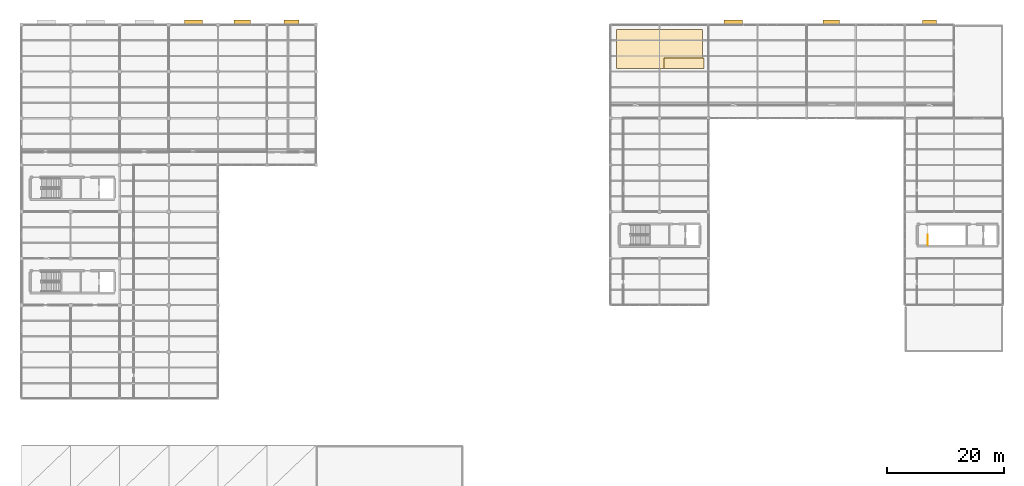
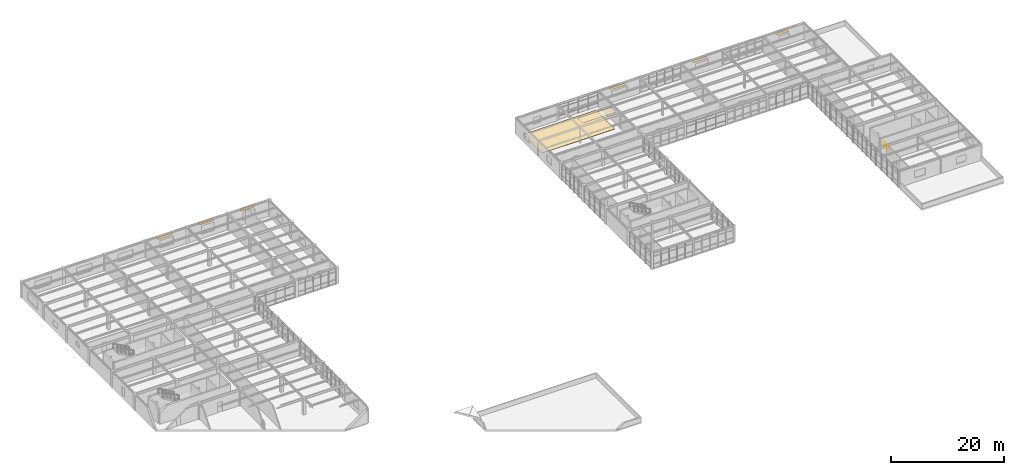
# One storey, part 53 of 53: 6 shading devices, 2 coverings, 1 railing.
"""IFC4 building model written with IfcOpenShell, lengths in metres."""

from ifc_helpers import new_model, si_unit, direction, frame, origin, origin_2d, place, context, subcontext, project, spatial, polyline, rectangle, circle, outline, extrude, material, layer, layer_set, type_object, element, save


model = new_model("IFC4")

# Units and contexts
model_context = context("Model", 3, precision=1e-05, world=origin(), true_north=direction((0.0, 1.0)))
body_context = subcontext(model_context, "Body", "Model", "MODEL_VIEW")
ifc_project = project(units=[si_unit("LENGTHUNIT", "METRE"), si_unit("AREAUNIT", "SQUARE_METRE"), si_unit("VOLUMEUNIT", "CUBIC_METRE"), si_unit("PLANEANGLEUNIT", "RADIAN"), si_unit("MASSUNIT", "GRAM", prefix="KILO")], contexts=[model_context])

# Site, building, storey
site_placement = place(None, origin())
site = spatial("IfcSite", under=ifc_project, at=site_placement, CompositionType="ELEMENT")
building_placement = place(site_placement, origin())
building = spatial("IfcBuilding", under=site, at=building_placement, Name="Kranzveld Transit Interchange", CompositionType="ELEMENT")
storey_placement = place(building_placement, frame((0.0, 0.0, 13.360107421875)))
storey = spatial("IfcBuildingStorey", under=building, at=storey_placement, Name="L03", CompositionType="ELEMENT", Elevation=13.360107421875)

# Coverings
ifc_material_1 = material(Name="Bronze-anodised thermally broken aluminium", Category="aluminium")
ifc_layer_1 = layer(ifc_material_1, 0.02490234375)
ifc_layer_set_1 = layer_set([ifc_layer_1], Name="Bronze-anodised thermally broken aluminium")
covering_type_1 = type_object("IfcCoveringType", Name="Acoustic Perforated Ceiling Tile 25", PredefinedType="CEILING", material=ifc_layer_set_1)
covering_1_placement = place(storey_placement, frame((0.0, 0.0, 3.554931640625)))
element("IfcCovering", 1, at=covering_1_placement, inside=storey, type_object=covering_type_1, Name="Seminar Room 301 Acoustic Ceiling", PredefinedType="CEILING", context=body_context, shape_type="SweptSolid", body=[
    extrude(outline(polyline([(110.0, 104.5), (116.800048828125, 104.5), (116.800048828125, 106.300048828125), (110.0, 106.300048828125), (110.0, 104.5)])), origin(), (0.0, 0.0, 1.0), 0.02490234375),
])
ifc_material_2 = material(Name="Pretoria red-purple clinker clay face brick, 35 MPa", Category="masonry")
ifc_layer_2 = layer(ifc_material_2, 0.030029296875)
ifc_layer_set_2 = layer_set([ifc_layer_2], Name="Pretoria red-purple clinker clay face brick, 35 MPa")
covering_type_2 = type_object("IfcCoveringType", Name="Heavy-Duty Transit Quarry Tile Flooring 30", PredefinedType="FLOORING", material=ifc_layer_set_2)
covering_2_placement = place(storey_placement, origin())
element("IfcCovering", 2, at=covering_2_placement, inside=storey, type_object=covering_type_2, Name="Seminar Room 301 Quarry Tile Floor", PredefinedType="FLOORING", context=body_context, shape_type="SweptSolid", body=[
    extrude(outline(polyline([(101.800048828125, 104.5), (116.60009765625, 104.5), (116.60009765625, 111.199951171875), (101.800048828125, 111.199951171875), (101.800048828125, 104.5)])), origin(), (0.0, 0.0, 1.0), 0.02978515625),
])

# Shading devices
ifc_material_3 = material(Name="Bronze-anodised thermally broken aluminium", Category="aluminium")
shading_device_type = type_object("IfcShadingDeviceType", Name="North Overhang Solar Louvre Brise-Soleil", PredefinedType="JALOUSIE", material=ifc_material_3)
shading_device_1_placement = place(storey_placement, frame((37.800048828125, 112.4951171875, 2.699951171875), z_axis=(0.0, 0.0, 1.0), x_axis=(1.0, 0.0, 0.0)))
element("IfcShadingDevice", 3, at=shading_device_1_placement, inside=storey, type_object=shading_device_type, Name="L03 North Solar Louvre 05/Q", PredefinedType="JALOUSIE", context=body_context, shape_type="SweptSolid", body=[
    extrude(rectangle(XDim=2.85009765625, YDim=0.64990234375, at=origin_2d()), origin(), (0.0, 0.0, 1.0), 0.1201171875),
])
shading_device_2_placement = place(storey_placement, frame((46.199951171875, 112.4951171875, 2.64990234375), z_axis=(0.0, 0.0, 1.0), x_axis=(1.0, 0.0, 0.0)))
element("IfcShadingDevice", 4, at=shading_device_2_placement, inside=storey, type_object=shading_device_type, Name="L03 North Solar Louvre 06/Q", PredefinedType="JALOUSIE", context=body_context, shape_type="SweptSolid", body=[
    extrude(rectangle(XDim=2.64990234375, YDim=0.64990234375, at=origin_2d()), origin(), (0.0, 0.0, 1.0), 0.1201171875),
])
shading_device_3_placement = place(storey_placement, frame((29.39990234375, 112.4951171875, 2.499755859375), z_axis=(0.0, 0.0, 1.0), x_axis=(1.0, 0.0, 0.0)))
element("IfcShadingDevice", 5, at=shading_device_3_placement, inside=storey, type_object=shading_device_type, Name="L03 North Solar Louvre 04/Q", PredefinedType="JALOUSIE", context=body_context, shape_type="SweptSolid", body=[
    extrude(rectangle(XDim=3.050048828125, YDim=0.64990234375, at=origin_2d()), origin(), (0.0, 0.0, 1.0), 0.1201171875),
])
shading_device_4_placement = place(storey_placement, frame((121.800048828125, 112.4951171875, 2.449951171875), z_axis=(0.0, 0.0, 1.0), x_axis=(1.0, 0.0, 0.0)))
element("IfcShadingDevice", 6, at=shading_device_4_placement, inside=storey, type_object=shading_device_type, Name="L03 North Solar Louvre 15/Q", PredefinedType="JALOUSIE", context=body_context, shape_type="SweptSolid", body=[
    extrude(rectangle(XDim=3.199951171875, YDim=0.64990234375, at=origin_2d()), origin(), (0.0, 0.0, 1.0), 0.1201171875),
])
shading_device_5_placement = place(storey_placement, frame((138.60009765625, 112.4951171875, 2.39990234375), z_axis=(0.0, 0.0, 1.0), x_axis=(1.0, 0.0, 0.0)))
element("IfcShadingDevice", 7, at=shading_device_5_placement, inside=storey, type_object=shading_device_type, Name="L03 North Solar Louvre 17/Q", PredefinedType="JALOUSIE", context=body_context, shape_type="SweptSolid", body=[
    extrude(rectangle(XDim=2.85009765625, YDim=0.64990234375, at=origin_2d()), origin(), (0.0, 0.0, 1.0), 0.1201171875),
])
shading_device_6_placement = place(storey_placement, frame((155.39990234375, 112.4951171875, 2.349853515625), z_axis=(0.0, 0.0, 1.0), x_axis=(1.0, 0.0, 0.0)))
element("IfcShadingDevice", 8, at=shading_device_6_placement, inside=storey, type_object=shading_device_type, Name="L03 North Solar Louvre 19/Q", PredefinedType="JALOUSIE", context=body_context, shape_type="SweptSolid", body=[
    extrude(rectangle(XDim=2.35009765625, YDim=0.64990234375, at=origin_2d()), origin(), (0.0, 0.0, 1.0), 0.1201171875),
])

# Railing
ifc_material_4 = material(Name="Steel S355JR", Category="steel")
railing_type = type_object("IfcRailingType", Name="Stair Well Guardrail Steel 1100", PredefinedType="GUARDRAIL", material=ifc_material_4)
railing_placement = place(storey_placement, frame((155.10009765625, 74.320068359375, 0.0)))
element("IfcRailing", 9, at=railing_placement, inside=storey, type_object=railing_type, Name="L03 ST-V4B top well guard 1", PredefinedType="GUARDRAIL", context=body_context, shape_type="SweptSolid", body=[
    extrude(circle(Radius=0.02392578125, at=origin_2d()), frame((0.0, 0.0, 1.076171875), z_axis=(0.0, 1.0, 0.0), x_axis=(-1.0, 0.0, 0.0)), (0.0, 0.0, 1.0), 1.760009765625),
    extrude(circle(Radius=0.02099609375, at=origin_2d()), origin(), (0.0, 0.0, 1.0), 1.050048828125),
    extrude(circle(Radius=0.02099609375, at=origin_2d()), frame((0.0, 0.8798828125, 0.0)), (0.0, 0.0, 1.0), 1.050048828125),
    extrude(circle(Radius=0.02099609375, at=origin_2d()), frame((0.0, 1.760009765625, 0.0)), (0.0, 0.0, 1.0), 1.050048828125),
])

save(model, "model.ifc")
